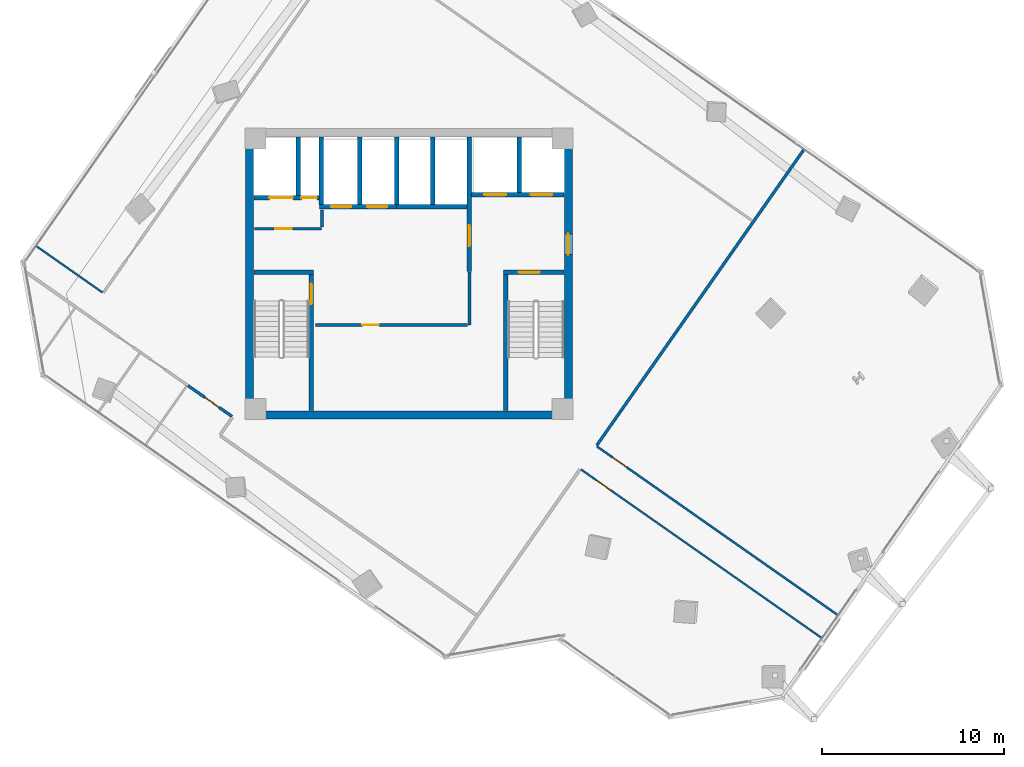
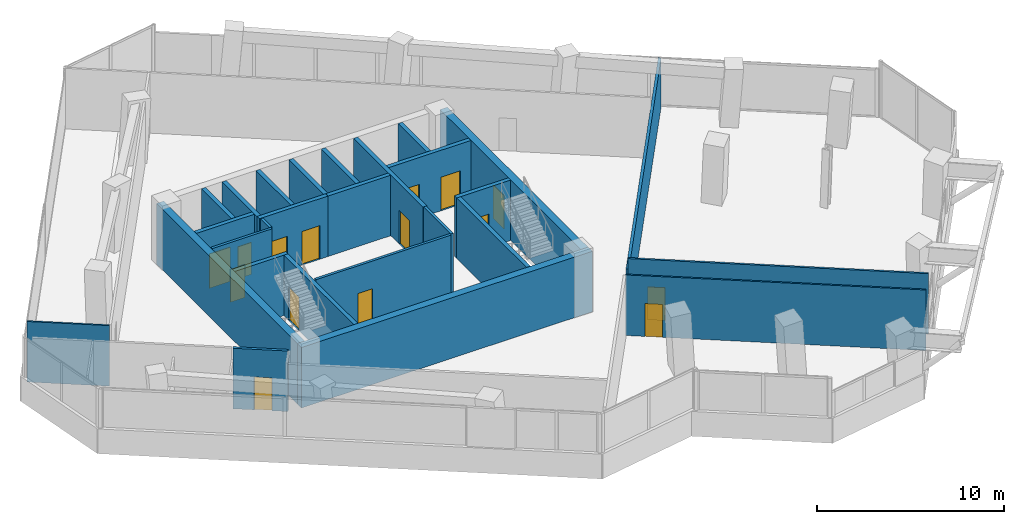
# One storey, part 17 of 21: 27 walls, 15 doors, 15 openings.
"""IFC4 building model written with IfcOpenShell, lengths in metres."""

import ifcopenshell
import ifcopenshell.guid

model = None  # the IFC model being written
_history = None  # IfcOwnerHistory: only IFC2X3 demands one
_inside = {}  # id of a spatial element -> (the spatial element, [elements in it])
_under = {}  # id of a project, library or spatial element -> (it, [spatial elements below it])
_declared = {}  # id of a project -> (the project, [libraries it declares])
_typed = {}  # id of a type object -> (the type object, [elements of that type])
_made_of = {}  # id of a material, layer set ... -> (it, [elements and type objects made of it])


def new_model(schema):
    """Start an empty IFC model of exactly this schema.

    Asked for "IFC4X3", IfcOpenShell would pick the latest addendum, in which some entities
    have other attributes; the version numbers below select the first issue.
    IFC2X3 requires an IfcOwnerHistory on every rooted entity: one is made here for all.
    """
    global model, _history
    if schema == "IFC4X3":
        model = ifcopenshell.file(schema_version=(4, 3, 0, 0))
    else:
        model = ifcopenshell.file(schema=schema)
    _inside.clear()
    _under.clear()
    _declared.clear()
    _typed.clear()
    _made_of.clear()
    _history = None
    if model.schema == "IFC2X3":
        org = make("IfcOrganization", Name="unknown")
        user = make(
            "IfcPersonAndOrganization",
            ThePerson=make("IfcPerson", FamilyName="unknown"),
            TheOrganization=org,
        )
        app = make(
            "IfcApplication",
            ApplicationDeveloper=org,
            Version="unknown",
            ApplicationFullName="unknown",
            ApplicationIdentifier="unknown",
        )
        _history = make(
            "IfcOwnerHistory",
            OwningUser=user,
            OwningApplication=app,
            ChangeAction="ADDED",
            CreationDate=0,
        )
    return model


def make(cls, **values):
    """One entity of the class cls with the attributes given. An attribute that is None is left unset."""
    return model.create_entity(
        cls, **{name: value for name, value in values.items() if value is not None}
    )


def rooted(cls, **values):
    """An entity with a GlobalId (a new one), such as an element, a storey or a relation."""
    return make(cls, GlobalId=ifcopenshell.guid.new(), OwnerHistory=_history, **values)


def si_unit(unit_type, name, prefix=None):
    """IfcSIUnit, for example si_unit("LENGTHUNIT", "METRE", prefix="MILLI")."""
    return make("IfcSIUnit", UnitType=unit_type, Prefix=prefix, Name=name)


def assignment(units):
    """IfcUnitAssignment: the units of a project."""
    return None if units is None else make("IfcUnitAssignment", Units=units)


def point(xyz):
    """IfcCartesianPoint."""
    return None if xyz is None else make("IfcCartesianPoint", Coordinates=xyz)


def direction(xyz):
    """IfcDirection."""
    return None if xyz is None else make("IfcDirection", DirectionRatios=xyz)


def frame(location, z_axis=None, x_axis=None):
    """IfcAxis2Placement3D, a coordinate frame: its origin and axes. An axis left out is left unset."""
    return make(
        "IfcAxis2Placement3D",
        Location=point(location),
        Axis=direction(z_axis),
        RefDirection=direction(x_axis),
    )


def frame_2d(location, x_axis=None):
    """IfcAxis2Placement2D, a coordinate frame in the plane: its origin and x axis."""
    return make(
        "IfcAxis2Placement2D", Location=point(location), RefDirection=direction(x_axis)
    )


def origin():
    """The frame at (0, 0, 0) with its axes left unset."""
    return frame((0.0, 0.0, 0.0))


def place(relative_to, where):
    """IfcLocalPlacement: puts the frame where relative to a parent placement (None: the world)."""
    return make(
        "IfcLocalPlacement", PlacementRelTo=relative_to, RelativePlacement=where
    )


def context(
    kind, dimensions, precision=None, world=None, true_north=None, identifier=None
):
    """IfcGeometricRepresentationContext, for example the 3D "Model" context."""
    return make(
        "IfcGeometricRepresentationContext",
        ContextIdentifier=identifier,
        ContextType=kind,
        CoordinateSpaceDimension=dimensions,
        Precision=precision,
        WorldCoordinateSystem=world,
        TrueNorth=true_north,
    )


def subcontext(parent, identifier, kind, view, scale=None):
    """IfcGeometricRepresentationSubContext, for example "Body" below "Model"."""
    return make(
        "IfcGeometricRepresentationSubContext",
        ContextIdentifier=identifier,
        ContextType=kind,
        ParentContext=parent,
        TargetScale=scale,
        TargetView=view,
    )


def project(units=None, contexts=None):
    """IfcProject with its units and contexts."""
    return rooted(
        "IfcProject",
        Name="project",
        RepresentationContexts=contexts,
        UnitsInContext=assignment(units),
    )


def spatial(cls, under=None, at=None, **own):
    """A site, building, storey or space (cls), placed at a placement, below another one or the project."""
    s = rooted(cls, ObjectPlacement=at, **own)
    if under is not None:
        _under.setdefault(under.id(), (under, []))[1].append(s)
    return s


def profile(cls, at=None, kind="AREA", **sizes):
    """A parametric profile (cls). Its sizes go by their IFC names, for example OverallWidth=200.0."""
    return make(cls, ProfileType=kind, Position=at, **sizes)


def rectangle(**sizes):
    """IfcRectangleProfileDef."""
    return profile("IfcRectangleProfileDef", **sizes)


def extrude(swept, where, along, depth):
    """IfcExtrudedAreaSolid: the profile swept, set in the frame where, extruded along a direction by depth."""
    return make(
        "IfcExtrudedAreaSolid",
        SweptArea=swept,
        Position=where,
        ExtrudedDirection=direction(along),
        Depth=depth,
    )


def shape(context_of_items, identifier, shape_type, items):
    """IfcShapeRepresentation: the items that make up one representation, for example the "Body"."""
    return make(
        "IfcShapeRepresentation",
        ContextOfItems=context_of_items,
        RepresentationIdentifier=identifier,
        RepresentationType=shape_type,
        Items=items,
    )


def source(mapping_origin, context_of_items, identifier, shape_type, items):
    """IfcRepresentationMap: a shape defined once, which mapped items show again and again."""
    return make(
        "IfcRepresentationMap",
        MappingOrigin=mapping_origin,
        MappedRepresentation=shape(context_of_items, identifier, shape_type, items),
    )


def transform(
    local_origin,
    x_axis=None,
    y_axis=None,
    z_axis=None,
    scale=None,
    scale2=None,
    scale3=None,
    uniform=True,
):
    """IfcCartesianTransformationOperator3D, or its non-uniform kind. x_axis, y_axis, z_axis: its Axis1, 2, 3."""
    if uniform:
        return make(
            "IfcCartesianTransformationOperator3D",
            Axis1=direction(x_axis),
            Axis2=direction(y_axis),
            LocalOrigin=point(local_origin),
            Scale=scale,
            Axis3=direction(z_axis),
        )
    return make(
        "IfcCartesianTransformationOperator3DnonUniform",
        Axis1=direction(x_axis),
        Axis2=direction(y_axis),
        LocalOrigin=point(local_origin),
        Scale=scale,
        Axis3=direction(z_axis),
        Scale2=scale2,
        Scale3=scale3,
    )


def mapped(mapping_source, mapping_target):
    """IfcMappedItem: shows the shape of a source again, moved by a transform."""
    return make(
        "IfcMappedItem", MappingSource=mapping_source, MappingTarget=mapping_target
    )


def material(Name=None, Category=None):
    """IfcMaterial."""
    return make("IfcMaterial", Name=Name, Category=Category)


def layer(
    of_material, thickness, ventilated=None, Name=None, Category=None, Priority=None
):
    """IfcMaterialLayer: one layer of a wall or slab, of a material (None: an air gap)."""
    return make(
        "IfcMaterialLayer",
        Material=of_material,
        LayerThickness=thickness,
        IsVentilated=ventilated,
        Name=Name,
        Category=Category,
        Priority=Priority,
    )


def layer_set(layers, Name=None):
    """IfcMaterialLayerSet."""
    return make("IfcMaterialLayerSet", MaterialLayers=layers, LayerSetName=Name)


def made_of(thing, what):
    """Note that an element or type object is made of a material, layer set ...; save() writes the relation."""
    if what is not None:
        _made_of.setdefault(what.id(), (what, []))[1].append(thing)
    return thing


def type_object(cls, material=None, **own):
    """A type object (cls), such as IfcWallType, which elements share."""
    return made_of(rooted(cls, **own), material)


def element(
    cls,
    number,
    at=None,
    inside=None,
    cuts=None,
    type_object=None,
    material=None,
    context=None,
    identifier="Body",
    shape_type=None,
    held_by="IfcProductDefinitionShape",
    body=None,
    shapes=None,
    **own,
):
    """One element of the class cls, such as IfcWall. Its Tag is "e" and its number.

    at: its placement. inside: the storey or other place that contains it. cuts: it is an
    opening in that element (IfcRelVoidsElement). A single representation is given by context,
    identifier, shape_type and body (its items); several are given by shapes. held_by: the class
    of the entity that holds the representations. save() writes the other relations.
    """
    e = rooted(cls, Tag="e%d" % number, ObjectPlacement=at, **own)
    if body is not None:
        shapes = [shape(context, identifier, shape_type, body)]
    if shapes is not None:
        e.Representation = make(held_by, Representations=shapes)
    if inside is not None:
        _inside.setdefault(inside.id(), (inside, []))[1].append(e)
    if cuts is not None:
        rooted(
            "IfcRelVoidsElement", RelatingBuildingElement=cuts, RelatedOpeningElement=e
        )
    if type_object is not None:
        _typed.setdefault(type_object.id(), (type_object, []))[1].append(e)
    return made_of(e, material)


def fill(opening, filler):
    """IfcRelFillsElement: the door or window that sits in an opening."""
    return rooted(
        "IfcRelFillsElement",
        RelatingOpeningElement=opening,
        RelatedBuildingElement=filler,
    )


def aggregate(whole, parts):
    """IfcRelAggregates: a whole, such as a stair, and the parts it consists of."""
    return rooted("IfcRelAggregates", RelatingObject=whole, RelatedObjects=parts)


def save(model, path):
    """Write the relations noted so far, then the file.

    IfcRelAggregates (storeys below a building ...), IfcRelContainedInSpatialStructure (elements
    in a storey), IfcRelDefinesByType, IfcRelAssociatesMaterial and IfcRelDeclares: one each for
    every whole, place, type object, material and project.
    """
    for whole, parts in _under.values():
        aggregate(whole, parts)
    for where, things in _inside.values():
        rooted(
            "IfcRelContainedInSpatialStructure",
            RelatedElements=things,
            RelatingStructure=where,
        )
    for kind, things in _typed.values():
        rooted("IfcRelDefinesByType", RelatedObjects=things, RelatingType=kind)
    for what, things in _made_of.values():
        rooted("IfcRelAssociatesMaterial", RelatedObjects=things, RelatingMaterial=what)
    for by, libraries in _declared.values():
        rooted("IfcRelDeclares", RelatingContext=by, RelatedDefinitions=libraries)
    model.write(path)


model = new_model("IFC4")

# Units and contexts
model_context = context("Model", 3, precision=1e-05, world=origin(), true_north=direction((0.0, 1.0)))
body_context = subcontext(model_context, "Body", "Model", "MODEL_VIEW")
ifc_project = project(units=[si_unit("LENGTHUNIT", "METRE"), si_unit("AREAUNIT", "SQUARE_METRE"), si_unit("VOLUMEUNIT", "CUBIC_METRE"), si_unit("PLANEANGLEUNIT", "RADIAN"), si_unit("MASSUNIT", "GRAM", prefix="KILO")], contexts=[model_context])

# Site, building, storey
site_placement = place(None, origin())
site = spatial("IfcSite", under=ifc_project, at=site_placement, CompositionType="ELEMENT")
building_placement = place(site_placement, origin())
building = spatial("IfcBuilding", under=site, at=building_placement, Name="Torre Montelarca", CompositionType="ELEMENT")
storey_placement = place(building_placement, frame((0.0, 0.0, 200.199951171875)))
storey = spatial("IfcBuildingStorey", under=building, at=storey_placement, Name="L45", CompositionType="ELEMENT", Elevation=200.199951171875)

# Wall, opening, door
ifc_material_1 = material(Name="Concrete C40/50", Category="concrete")
ifc_layer_1 = layer(ifc_material_1, 0.25, Name="Concrete C40/50", Category="concrete")
ifc_layer_set_1 = layer_set([ifc_layer_1], Name="Concrete C40/50")
wall_type_1 = type_object("IfcWallType", Name="CW-SHAFT-250", PredefinedType="SHEAR", material=ifc_layer_set_1)
wall_1_placement = place(storey_placement, frame((12.625, 24.4599609375, 0.0), z_axis=(0.0, 0.0, 1.0), x_axis=(0.0, 1.0, 0.0)))
wall_1 = element("IfcWall", 1, at=wall_1_placement, inside=storey, type_object=wall_type_1, Name="L45 Core Shear Wall SH-ST1-E", PredefinedType="SHEAR", context=body_context, shape_type="SweptSolid", body=[
    extrude(rectangle(XDim=7.489990234375, YDim=0.25, at=frame_2d((3.7451171875, 0.0))), origin(), (0.0, 0.0, 1.0), 3.9599609375),
])
opening_1_placement = place(wall_1_placement, frame((5.85009765625, 0.0, 0.0)))
opening_1 = element("IfcOpeningElement", 2, at=opening_1_placement, cuts=wall_1, Name="Opening FD-ST1", PredefinedType="OPENING", context=body_context, shape_type="SweptSolid", body=[
    extrude(rectangle(XDim=1.14990234375, YDim=2.199951171875, at=frame_2d((0.574951171875, 1.10009765625))), frame((0.0, 0.135009765625, 0.0), z_axis=(0.0, -1.0, 0.0), x_axis=(1.0, 0.0, 0.0)), (0.0, 0.0, 1.0), 0.27001953125),
])
ifc_material_2 = material(Name="Galvanized steel fire door", Category="steel")
door_type_1 = type_object("IfcDoorType", Name="DR-STAIR-115", OperationType="NOTDEFINED", PredefinedType="DOOR", material=ifc_material_2)
shared_shape_1 = source(origin(), body_context, "Body", "SweptSolid", [
    extrude(rectangle(XDim=1.14990234375, YDim=2.199951171875, at=frame_2d((0.574951171875, 1.10009765625))), frame((0.0, 0.02490234375, 0.0), z_axis=(0.0, -1.0, 0.0), x_axis=(1.0, 0.0, 0.0)), (0.0, 0.0, 1.0), 0.050048828125),
])
door_1_placement = place(opening_1_placement, origin())
door_1 = element("IfcDoor", 3, at=door_1_placement, inside=storey, type_object=door_type_1, Name="L45 Exit Stair ST1 Fire Door", OperationType="SINGLE_SWING_RIGHT", OverallHeight=2.199951171875, OverallWidth=1.14990234375, PredefinedType="DOOR", context=body_context, shape_type="MappedRepresentation", body=[
    mapped(shared_shape_1, transform((0.0, 0.0, 0.0), scale=1.0)),
])
fill(opening_1, door_1)

# Walls
wall_2_placement = place(storey_placement, frame((9.4599609375, 32.074951171875, 0.0), z_axis=(0.0, 0.0, 1.0), x_axis=(1.0, 0.0, 0.0)))
element("IfcWall", 4, at=wall_2_placement, inside=storey, type_object=wall_type_1, Name="L45 Core Shear Wall SH-ST1-N", PredefinedType="SHEAR", context=body_context, shape_type="SweptSolid", body=[
    extrude(rectangle(XDim=3.2900390625, YDim=0.25, at=frame_2d((1.64501953125, 0.0))), origin(), (0.0, 0.0, 1.0), 3.9599609375),
])
wall_3_placement = place(storey_placement, frame((23.31494140625, 24.4599609375, 0.0), z_axis=(0.0, 0.0, 1.0), x_axis=(0.0, 1.0, 0.0)))
element("IfcWall", 5, at=wall_3_placement, inside=storey, type_object=wall_type_1, Name="L45 Core Shear Wall SH-ST2-W", PredefinedType="SHEAR", context=body_context, shape_type="SweptSolid", body=[
    extrude(rectangle(XDim=7.489990234375, YDim=0.25, at=frame_2d((3.7451171875, 0.0))), origin(), (0.0, 0.0, 1.0), 3.9599609375),
])

# Wall, opening, door
wall_4_placement = place(storey_placement, frame((23.18994140625, 32.074951171875, 0.0), z_axis=(0.0, 0.0, 1.0), x_axis=(1.0, 0.0, 0.0)))
wall_4 = element("IfcWall", 6, at=wall_4_placement, inside=storey, type_object=wall_type_1, Name="L45 Core Shear Wall SH-ST2-N", PredefinedType="SHEAR", context=body_context, shape_type="SweptSolid", body=[
    extrude(rectangle(XDim=3.35009765625, YDim=0.25, at=frame_2d((1.675048828125, 0.0))), origin(), (0.0, 0.0, 1.0), 3.9599609375),
])
opening_2_placement = place(wall_4_placement, frame((0.85009765625, 0.0, 0.0)))
opening_2 = element("IfcOpeningElement", 7, at=opening_2_placement, cuts=wall_4, Name="Opening FD-ST1", PredefinedType="OPENING", context=body_context, shape_type="SweptSolid", body=[
    extrude(rectangle(XDim=1.14990234375, YDim=2.199951171875, at=frame_2d((0.574951171875, 1.10009765625))), frame((0.0, 0.135009765625, 0.0), z_axis=(0.0, -1.0, 0.0), x_axis=(1.0, 0.0, 0.0)), (0.0, 0.0, 1.0), 0.27001953125),
])
door_2_placement = place(opening_2_placement, origin())
door_2 = element("IfcDoor", 8, at=door_2_placement, inside=storey, type_object=door_type_1, Name="L45 Exit Stair ST2 Fire Door", OperationType="SINGLE_SWING_RIGHT", OverallHeight=2.199951171875, OverallWidth=1.14990234375, PredefinedType="DOOR", context=body_context, shape_type="MappedRepresentation", body=[
    mapped(shared_shape_1, transform((0.0, 0.0, 0.0), scale=1.0)),
])
fill(opening_2, door_2)

wall_5_placement = place(storey_placement, frame((21.320068359375, 32.1201171875, 0.0), z_axis=(0.0, 0.0, 1.0), x_axis=(0.0, 1.0, 0.0)))
wall_5 = element("IfcWall", 9, at=wall_5_placement, inside=storey, type_object=wall_type_1, Name="L45 Core Shear Wall SH-FFL-W", PredefinedType="SHEAR", context=body_context, shape_type="SweptSolid", body=[
    extrude(rectangle(XDim=7.419921875, YDim=0.25, at=frame_2d((3.7099609375, 0.0))), origin(), (0.0, 0.0, 1.0), 3.9599609375),
])
opening_3_placement = place(wall_5_placement, frame((1.39990234375, 0.0, 0.0)))
opening_3 = element("IfcOpeningElement", 10, at=opening_3_placement, cuts=wall_5, Name="Opening FD-LB1", PredefinedType="OPENING", context=body_context, shape_type="SweptSolid", body=[
    extrude(rectangle(XDim=1.14990234375, YDim=2.199951171875, at=frame_2d((0.574951171875, 1.10009765625))), frame((0.0, 0.135009765625, 0.0), z_axis=(0.0, -1.0, 0.0), x_axis=(1.0, 0.0, 0.0)), (0.0, 0.0, 1.0), 0.27001953125),
])
ifc_material_3 = material(Name="Acoustic timber-veneered fire door", Category="wood")
door_type_2 = type_object("IfcDoorType", Name="DR-LOBBY-115", OperationType="NOTDEFINED", PredefinedType="DOOR", material=ifc_material_3)
shared_shape_2 = source(origin(), body_context, "Body", "SweptSolid", [
    extrude(rectangle(XDim=1.14990234375, YDim=2.199951171875, at=frame_2d((0.574951171875, 1.10009765625))), frame((0.0, 0.02490234375, 0.0), z_axis=(0.0, -1.0, 0.0), x_axis=(1.0, 0.0, 0.0)), (0.0, 0.0, 1.0), 0.050048828125),
])
door_3_placement = place(opening_3_placement, origin())
door_3 = element("IfcDoor", 11, at=door_3_placement, inside=storey, type_object=door_type_2, Name="L45 Lift Lobby to Firefighting Lobby Smoke Door", OperationType="SINGLE_SWING_LEFT", OverallHeight=2.199951171875, OverallWidth=1.14990234375, PredefinedType="DOOR", context=body_context, shape_type="MappedRepresentation", body=[
    mapped(shared_shape_2, transform((0.0, 0.0, 0.0), scale=1.0)),
])
fill(opening_3, door_3)

# Wall, openings, doors
wall_6_placement = place(storey_placement, frame((9.4599609375, 36.179931640625, 0.0), z_axis=(0.0, 0.0, 1.0), x_axis=(1.0, 0.0, 0.0)))
wall_6 = element("IfcWall", 12, at=wall_6_placement, inside=storey, type_object=wall_type_1, Name="L45 Core Shear Wall SH-SV1-S", PredefinedType="SHEAR", context=body_context, shape_type="SweptSolid", body=[
    extrude(rectangle(XDim=3.7900390625, YDim=0.25, at=frame_2d((1.89501953125, 0.0))), origin(), (0.0, 0.0, 1.0), 3.9599609375),
])
opening_4_placement = place(wall_6_placement, frame((2.6201171875, 0.0, 0.0)))
opening_4 = element("IfcOpeningElement", 13, at=opening_4_placement, cuts=wall_6, Name="Opening FD-085", PredefinedType="OPENING", context=body_context, shape_type="SweptSolid", body=[
    extrude(rectangle(XDim=0.85009765625, YDim=2.10009765625, at=frame_2d((0.425048828125, 1.050048828125))), frame((0.0, 0.135009765625, 0.0), z_axis=(0.0, -1.0, 0.0), x_axis=(1.0, 0.0, 0.0)), (0.0, 0.0, 1.0), 0.27001953125),
])
opening_5_placement = place(wall_6_placement, frame((0.85009765625, 0.0, 0.0)))
opening_5 = element("IfcOpeningElement", 14, at=opening_5_placement, cuts=wall_6, Name="Opening LD-130", PredefinedType="OPENING", context=body_context, shape_type="SweptSolid", body=[
    extrude(rectangle(XDim=1.300048828125, YDim=2.25, at=frame_2d((0.64990234375, 1.125))), frame((0.0, 0.135009765625, 0.0), z_axis=(0.0, -1.0, 0.0), x_axis=(1.0, 0.0, 0.0)), (0.0, 0.0, 1.0), 0.27001953125),
])
ifc_material_4 = material(Name="Steel riser access fire door", Category="steel")
door_type_3 = type_object("IfcDoorType", Name="DR-RISER-085", OperationType="NOTDEFINED", PredefinedType="DOOR", material=ifc_material_4)
shared_shape_3 = source(origin(), body_context, "Body", "SweptSolid", [
    extrude(rectangle(XDim=0.85009765625, YDim=2.10009765625, at=frame_2d((0.425048828125, 1.050048828125))), frame((0.0, 0.02490234375, 0.0), z_axis=(0.0, -1.0, 0.0), x_axis=(1.0, 0.0, 0.0)), (0.0, 0.0, 1.0), 0.050048828125),
])
door_4_placement = place(opening_4_placement, origin())
door_4 = element("IfcDoor", 15, at=door_4_placement, inside=storey, type_object=door_type_3, Name="L45 Electrical Riser Shaft Access Door", OperationType="SINGLE_SWING_RIGHT", OverallHeight=2.10009765625, OverallWidth=0.85009765625, PredefinedType="DOOR", context=body_context, shape_type="MappedRepresentation", body=[
    mapped(shared_shape_3, transform((0.0, 0.0, 0.0), scale=1.0)),
])
fill(opening_4, door_4)
ifc_material_5 = material(Name="Brushed stainless steel AISI 316", Category="steel")
door_type_4 = type_object("IfcDoorType", Name="DR-LIFT-130", OperationType="SLIDING_TO_LEFT", PredefinedType="DOOR", material=ifc_material_5)
shared_shape_4 = source(origin(), body_context, "Body", "SweptSolid", [
    extrude(rectangle(XDim=1.300048828125, YDim=2.25, at=frame_2d((0.64990234375, 1.125))), frame((0.0, 0.02490234375, 0.0), z_axis=(0.0, -1.0, 0.0), x_axis=(1.0, 0.0, 0.0)), (0.0, 0.0, 1.0), 0.050048828125),
])
door_5_placement = place(opening_5_placement, origin())
door_5 = element("IfcDoor", 16, at=door_5_placement, inside=storey, type_object=door_type_4, Name="L45 Lift Landing Sliding Door SV-1", OperationType="SLIDING_TO_LEFT", OverallHeight=2.25, OverallWidth=1.300048828125, PredefinedType="DOOR", context=body_context, shape_type="MappedRepresentation", body=[
    mapped(shared_shape_4, transform((0.0, 0.0, 0.0), scale=1.0)),
])
fill(opening_5, door_5)

# Wall
wall_7_placement = place(storey_placement, frame((11.89990234375, 36.31005859375, 0.0), z_axis=(0.0, 0.0, 1.0), x_axis=(0.0, 1.0, 0.0)))
element("IfcWall", 17, at=wall_7_placement, inside=storey, type_object=wall_type_1, Name="L45 Core Shear Wall SH-SV1-E", PredefinedType="SHEAR", context=body_context, shape_type="SweptSolid", body=[
    extrude(rectangle(XDim=3.22998046875, YDim=0.25, at=frame_2d((1.614990234375, 0.0))), origin(), (0.0, 0.0, 1.0), 3.9599609375),
])

# Wall, openings, doors
wall_8_placement = place(storey_placement, frame((21.449951171875, 36.35009765625, 0.0), z_axis=(0.0, 0.0, 1.0), x_axis=(1.0, 0.0, 0.0)))
wall_8 = element("IfcWall", 18, at=wall_8_placement, inside=storey, type_object=wall_type_1, Name="L45 Core Shear Wall SH-FF-S", PredefinedType="SHEAR", context=body_context, shape_type="SweptSolid", body=[
    extrude(rectangle(XDim=5.090087890625, YDim=0.25, at=frame_2d((2.544921875, 0.0))), origin(), (0.0, 0.0, 1.0), 3.9599609375),
])
opening_6_placement = place(wall_8_placement, frame((0.699951171875, 0.0, 0.0)))
opening_6 = element("IfcOpeningElement", 19, at=opening_6_placement, cuts=wall_8, Name="Opening LD-120", PredefinedType="OPENING", context=body_context, shape_type="SweptSolid", body=[
    extrude(rectangle(XDim=1.199951171875, YDim=2.199951171875, at=frame_2d((0.60009765625, 1.10009765625))), frame((0.0, 0.135009765625, 0.0), z_axis=(0.0, -1.0, 0.0), x_axis=(1.0, 0.0, 0.0)), (0.0, 0.0, 1.0), 0.27001953125),
])
opening_7_placement = place(wall_8_placement, frame((3.25, 0.0, 0.0)))
opening_7 = element("IfcOpeningElement", 20, at=opening_7_placement, cuts=wall_8, Name="Opening LD-120", PredefinedType="OPENING", context=body_context, shape_type="SweptSolid", body=[
    extrude(rectangle(XDim=1.199951171875, YDim=2.199951171875, at=frame_2d((0.60009765625, 1.10009765625))), frame((0.0, 0.135009765625, 0.0), z_axis=(0.0, -1.0, 0.0), x_axis=(1.0, 0.0, 0.0)), (0.0, 0.0, 1.0), 0.27001953125),
])
door_type_5 = type_object("IfcDoorType", Name="DR-LIFT-120", OperationType="SLIDING_TO_RIGHT", PredefinedType="DOOR", material=ifc_material_5)
shared_shape_5 = source(origin(), body_context, "Body", "SweptSolid", [
    extrude(rectangle(XDim=1.199951171875, YDim=2.199951171875, at=frame_2d((0.60009765625, 1.10009765625))), frame((0.0, 0.02490234375, 0.0), z_axis=(0.0, -1.0, 0.0), x_axis=(1.0, 0.0, 0.0)), (0.0, 0.0, 1.0), 0.050048828125),
])
door_6_placement = place(opening_6_placement, origin())
door_6 = element("IfcDoor", 21, at=door_6_placement, inside=storey, type_object=door_type_5, Name="L45 Lift Landing Sliding Door FF-1", OperationType="SLIDING_TO_LEFT", OverallHeight=2.199951171875, OverallWidth=1.199951171875, PredefinedType="DOOR", context=body_context, shape_type="MappedRepresentation", body=[
    mapped(shared_shape_5, transform((0.0, 0.0, 0.0), scale=1.0)),
])
fill(opening_6, door_6)
door_7_placement = place(opening_7_placement, origin())
door_7 = element("IfcDoor", 22, at=door_7_placement, inside=storey, type_object=door_type_5, Name="L45 Lift Landing Sliding Door FF-2", OperationType="SLIDING_TO_RIGHT", OverallHeight=2.199951171875, OverallWidth=1.199951171875, PredefinedType="DOOR", context=body_context, shape_type="MappedRepresentation", body=[
    mapped(shared_shape_5, transform((0.0, 0.0, 0.0), scale=1.0)),
])
fill(opening_7, door_7)

# Wall
wall_9_placement = place(storey_placement, frame((24.080078125, 36.47998046875, 0.0), z_axis=(0.0, 0.0, 1.0), x_axis=(0.0, 1.0, 0.0)))
element("IfcWall", 23, at=wall_9_placement, inside=storey, type_object=wall_type_1, Name="L45 Core Shear Wall SH-FF-M", PredefinedType="SHEAR", context=body_context, shape_type="SweptSolid", body=[
    extrude(rectangle(XDim=3.06005859375, YDim=0.25, at=frame_2d((1.530029296875, 0.0))), origin(), (0.0, 0.0, 1.0), 3.9599609375),
])

# Wall, openings, doors
wall_10_placement = place(storey_placement, frame((13.06005859375, 35.679931640625, 0.0), z_axis=(0.0, 0.0, 1.0), x_axis=(1.0, 0.0, 0.0)))
wall_10 = element("IfcWall", 24, at=wall_10_placement, inside=storey, type_object=wall_type_1, Name="L45 Core Shear Wall SH-PLM-S", PredefinedType="SHEAR", context=body_context, shape_type="SweptSolid", body=[
    extrude(rectangle(XDim=4.25, YDim=0.25, at=frame_2d((2.125, 0.0))), origin(), (0.0, 0.0, 1.0), 3.9599609375),
])
opening_8_placement = place(wall_10_placement, frame((0.64990234375, 0.0, 0.0)))
opening_8 = element("IfcOpeningElement", 25, at=opening_8_placement, cuts=wall_10, Name="Opening LD-110", PredefinedType="OPENING", context=body_context, shape_type="SweptSolid", body=[
    extrude(rectangle(XDim=1.10009765625, YDim=2.199951171875, at=frame_2d((0.550048828125, 1.10009765625))), frame((0.0, 0.135009765625, 0.0), z_axis=(0.0, -1.0, 0.0), x_axis=(1.0, 0.0, 0.0)), (0.0, 0.0, 1.0), 0.27001953125),
])
opening_9_placement = place(wall_10_placement, frame((2.64990234375, 0.0, 0.0)))
opening_9 = element("IfcOpeningElement", 26, at=opening_9_placement, cuts=wall_10, Name="Opening LD-110", PredefinedType="OPENING", context=body_context, shape_type="SweptSolid", body=[
    extrude(rectangle(XDim=1.10009765625, YDim=2.199951171875, at=frame_2d((0.550048828125, 1.10009765625))), frame((0.0, 0.135009765625, 0.0), z_axis=(0.0, -1.0, 0.0), x_axis=(1.0, 0.0, 0.0)), (0.0, 0.0, 1.0), 0.27001953125),
])
door_type_6 = type_object("IfcDoorType", Name="DR-LIFT-110", OperationType="SLIDING_TO_LEFT", PredefinedType="DOOR", material=ifc_material_5)
shared_shape_6 = source(origin(), body_context, "Body", "SweptSolid", [
    extrude(rectangle(XDim=1.10009765625, YDim=2.199951171875, at=frame_2d((0.550048828125, 1.10009765625))), frame((0.0, 0.02490234375, 0.0), z_axis=(0.0, -1.0, 0.0), x_axis=(1.0, 0.0, 0.0)), (0.0, 0.0, 1.0), 0.050048828125),
])
door_8_placement = place(opening_8_placement, origin())
door_8 = element("IfcDoor", 27, at=door_8_placement, inside=storey, type_object=door_type_6, Name="L45 Lift Landing Sliding Door PL-M1", OperationType="SLIDING_TO_LEFT", OverallHeight=2.199951171875, OverallWidth=1.10009765625, PredefinedType="DOOR", context=body_context, shape_type="MappedRepresentation", body=[
    mapped(shared_shape_6, transform((0.0, 0.0, 0.0), scale=1.0)),
])
fill(opening_8, door_8)
door_9_placement = place(opening_9_placement, origin())
door_9 = element("IfcDoor", 28, at=door_9_placement, inside=storey, type_object=door_type_6, Name="L45 Lift Landing Sliding Door PL-M2", OperationType="SLIDING_TO_RIGHT", OverallHeight=2.199951171875, OverallWidth=1.10009765625, PredefinedType="DOOR", context=body_context, shape_type="MappedRepresentation", body=[
    mapped(shared_shape_6, transform((0.0, 0.0, 0.0), scale=1.0)),
])
fill(opening_9, door_9)

# Walls
for number, where, z_axis, x_axis, name in (
    (29, (13.179931640625, 35.81005859375, 0.0), (0.0, 0.0, 1.0), (0.0, 1.0, 0.0), "L45 Core Shear Wall SH-PLM-W"),
    (30, (15.280029296875, 35.81005859375, 0.0), (0.0, 0.0, 1.0), (0.0, 1.0, 0.0), "L45 Core Shear Wall SH-PLM-M"),
):
    element("IfcWall", number, at=place(storey_placement, frame(where, z_axis=z_axis, x_axis=x_axis)), inside=storey, type_object=wall_type_1, Name=name, PredefinedType="SHEAR", context=body_context, shape_type="SweptSolid", body=[
        extrude(rectangle(XDim=3.72998046875, YDim=0.25, at=frame_2d((1.864990234375, 0.0))), origin(), (0.0, 0.0, 1.0), 3.9599609375),
    ])
wall_11_placement = place(storey_placement, frame((17.320068359375, 35.679931640625, 0.0), z_axis=(0.0, 0.0, 1.0), x_axis=(1.0, 0.0, 0.0)))
element("IfcWall", 31, at=wall_11_placement, inside=storey, type_object=wall_type_1, Name="L45 Core Shear Wall SH-PLH-S", PredefinedType="SHEAR", context=body_context, shape_type="SweptSolid", body=[
    extrude(rectangle(XDim=3.869873046875, YDim=0.25, at=frame_2d((1.93505859375, 0.0))), origin(), (0.0, 0.0, 1.0), 3.9599609375),
])
for number, where, z_axis, x_axis, name in (
    (32, (17.320068359375, 35.81005859375, 0.0), (0.0, 0.0, 1.0), (0.0, 1.0, 0.0), "L45 Core Shear Wall SH-PLH-W"),
    (33, (19.320068359375, 35.81005859375, 0.0), (0.0, 0.0, 1.0), (0.0, 1.0, 0.0), "L45 Core Shear Wall SH-PLH-M"),
):
    element("IfcWall", number, at=place(storey_placement, frame(where, z_axis=z_axis, x_axis=x_axis)), inside=storey, type_object=wall_type_1, Name=name, PredefinedType="SHEAR", context=body_context, shape_type="SweptSolid", body=[
        extrude(rectangle(XDim=3.72998046875, YDim=0.25, at=frame_2d((1.864990234375, 0.0))), origin(), (0.0, 0.0, 1.0), 3.9599609375),
    ])
ifc_material_6 = material(Name="Concrete C55/67", Category="concrete")
ifc_layer_2 = layer(ifc_material_6, 0.449951171875, Name="Concrete C55/67", Category="concrete")
ifc_layer_set_2 = layer_set([ifc_layer_2], Name="Concrete C55/67")
wall_type_2 = type_object("IfcWallType", Name="CW-SHEAR-450", PredefinedType="SHEAR", material=ifc_layer_set_2)
wall_12_placement = place(storey_placement, frame((9.22509765625, 24.449951171875, 0.0), z_axis=(0.0, 0.0, 1.0), x_axis=(0.0, 1.0, 0.0)))
element("IfcWall", 34, at=wall_12_placement, inside=storey, type_object=wall_type_2, Name="L45 Core Shear Wall CW-W", PredefinedType="SHEAR", context=body_context, shape_type="SweptSolid", body=[
    extrude(rectangle(XDim=15.10009765625, YDim=0.449951171875, at=frame_2d((7.550048828125, 0.0))), origin(), (0.0, 0.0, 1.0), 3.9599609375),
])

# Wall, opening, door
wall_13_placement = place(storey_placement, frame((26.77490234375, 24.449951171875, 0.0), z_axis=(0.0, 0.0, 1.0), x_axis=(0.0, 1.0, 0.0)))
wall_13 = element("IfcWall", 35, at=wall_13_placement, inside=storey, type_object=wall_type_2, Name="L45 Core Shear Wall CW-E", PredefinedType="SHEAR", context=body_context, shape_type="SweptSolid", body=[
    extrude(rectangle(XDim=15.10009765625, YDim=0.449951171875, at=frame_2d((7.550048828125, 0.0))), origin(), (0.0, 0.0, 1.0), 3.9599609375),
])
opening_10_placement = place(wall_13_placement, frame((8.60009765625, 0.0, 0.0)))
opening_10 = element("IfcOpeningElement", 36, at=opening_10_placement, cuts=wall_13, Name="Opening FD-LB1", PredefinedType="OPENING", context=body_context, shape_type="SweptSolid", body=[
    extrude(rectangle(XDim=1.14990234375, YDim=2.199951171875, at=frame_2d((0.574951171875, 1.10009765625))), frame((0.0, 0.23486328125, 0.0), z_axis=(0.0, -1.0, 0.0), x_axis=(1.0, 0.0, 0.0)), (0.0, 0.0, 1.0), 0.469970703125),
])
door_10_placement = place(opening_10_placement, origin())
door_10 = element("IfcDoor", 37, at=door_10_placement, inside=storey, type_object=door_type_2, Name="L45 Firefighting Lift Lobby Corridor Fire Door", OperationType="SINGLE_SWING_RIGHT", OverallHeight=2.199951171875, OverallWidth=1.14990234375, PredefinedType="DOOR", context=body_context, shape_type="MappedRepresentation", body=[
    mapped(shared_shape_2, transform((0.0, 0.0, 0.0), scale=1.0)),
])
fill(opening_10, door_10)

# Wall
wall_14_placement = place(storey_placement, frame((9.0, 24.22509765625, 0.0), z_axis=(0.0, 0.0, 1.0), x_axis=(1.0, 0.0, 0.0)))
element("IfcWall", 38, at=wall_14_placement, inside=storey, type_object=wall_type_2, Name="L45 Core Shear Wall CW-S1", PredefinedType="SHEAR", context=body_context, shape_type="SweptSolid", body=[
    extrude(rectangle(XDim=18.0, YDim=0.449951171875, at=frame_2d((9.0, 0.0))), origin(), (0.0, 0.0, 1.0), 3.9599609375),
])

# Wall, opening, door
ifc_material_7 = material(Name="Gypsum plasterboard on steel stud", Category="steel")
ifc_layer_3 = layer(ifc_material_7, 0.159912109375, Name="Gypsum plasterboard on steel stud", Category="steel")
ifc_layer_set_3 = layer_set([ifc_layer_3], Name="Gypsum plasterboard on steel stud")
wall_type_3 = type_object("IfcWallType", Name="PW-FIRE-160", PredefinedType="PARTITIONING", material=ifc_layer_set_3)
wall_15_placement = place(storey_placement, frame((9.489990234375, 34.47998046875, 0.0), z_axis=(0.0, 0.0, 1.0), x_axis=(1.0, 0.0, 0.0)))
wall_15 = element("IfcWall", 39, at=wall_15_placement, inside=storey, type_object=wall_type_3, Name="L45 Interior Partition CW-L45-SVS", PredefinedType="PARTITIONING", context=body_context, shape_type="SweptSolid", body=[
    extrude(rectangle(XDim=3.699951171875, YDim=0.159912109375, at=frame_2d((1.85009765625, 0.0))), origin(), (0.0, 0.0, 1.0), 3.9599609375),
])
opening_11_placement = place(wall_15_placement, frame((1.14990234375, 0.0, 0.0)))
opening_11 = element("IfcOpeningElement", 40, at=opening_11_placement, cuts=wall_15, Name="Opening FD-090", PredefinedType="OPENING", context=body_context, shape_type="SweptSolid", body=[
    extrude(rectangle(XDim=0.89990234375, YDim=2.14990234375, at=frame_2d((0.449951171875, 1.074951171875))), frame((0.0, 0.08984375, 0.0), z_axis=(0.0, -1.0, 0.0), x_axis=(1.0, 0.0, 0.0)), (0.0, 0.0, 1.0), 0.179931640625),
])
ifc_material_8 = material(Name="Steel service fire door", Category="steel")
door_type_7 = type_object("IfcDoorType", Name="DR-FIRE-090", OperationType="NOTDEFINED", PredefinedType="DOOR", material=ifc_material_8)
shared_shape_7 = source(origin(), body_context, "Body", "SweptSolid", [
    extrude(rectangle(XDim=0.89990234375, YDim=2.14990234375, at=frame_2d((0.449951171875, 1.074951171875))), frame((0.0, 0.02490234375, 0.0), z_axis=(0.0, -1.0, 0.0), x_axis=(1.0, 0.0, 0.0)), (0.0, 0.0, 1.0), 0.050048828125),
])
door_11_placement = place(opening_11_placement, origin())
door_11 = element("IfcDoor", 41, at=door_11_placement, inside=storey, type_object=door_type_7, Name="L45 Interior Door 01", OperationType="SINGLE_SWING_RIGHT", OverallHeight=2.14990234375, OverallWidth=0.89990234375, PredefinedType="DOOR", context=body_context, shape_type="MappedRepresentation", body=[
    mapped(shared_shape_7, transform((0.0, 0.0, 0.0), scale=1.0)),
])
fill(opening_11, door_11)

# Wall
wall_16_placement = place(storey_placement, frame((13.199951171875, 34.570068359375, 0.0), z_axis=(0.0, 0.0, 1.0), x_axis=(0.0, 1.0, 0.0)))
element("IfcWall", 42, at=wall_16_placement, inside=storey, type_object=wall_type_3, Name="L45 Interior Partition CW-L45-SVE", PredefinedType="PARTITIONING", context=body_context, shape_type="SweptSolid", body=[
    extrude(rectangle(XDim=0.93994140625, YDim=0.159912109375, at=frame_2d((0.469970703125, 0.0))), origin(), (0.0, 0.0, 1.0), 3.9599609375),
])

# Wall, opening, door
wall_17_placement = place(storey_placement, frame((12.840087890625, 29.179931640625, 0.0), z_axis=(0.0, 0.0, 1.0), x_axis=(1.0, 0.0, 0.0)))
wall_17 = element("IfcWall", 43, at=wall_17_placement, inside=storey, type_object=wall_type_3, Name="L45 Interior Partition CW-L45-FRDN", PredefinedType="PARTITIONING", context=body_context, shape_type="SweptSolid", body=[
    extrude(rectangle(XDim=8.369873046875, YDim=0.159912109375, at=frame_2d((4.18505859375, 0.0))), origin(), (0.0, 0.0, 1.0), 3.9599609375),
])
opening_12_placement = place(wall_17_placement, frame((2.60009765625, 0.0, 0.0)))
opening_12 = element("IfcOpeningElement", 44, at=opening_12_placement, cuts=wall_17, Name="Opening FD-090", PredefinedType="OPENING", context=body_context, shape_type="SweptSolid", body=[
    extrude(rectangle(XDim=0.89990234375, YDim=2.14990234375, at=frame_2d((0.449951171875, 1.074951171875))), frame((0.0, 0.08984375, 0.0), z_axis=(0.0, -1.0, 0.0), x_axis=(1.0, 0.0, 0.0)), (0.0, 0.0, 1.0), 0.179931640625),
])
door_12_placement = place(opening_12_placement, origin())
door_12 = element("IfcDoor", 45, at=door_12_placement, inside=storey, type_object=door_type_7, Name="L45 Interior Door 02", OperationType="SINGLE_SWING_LEFT", OverallHeight=2.14990234375, OverallWidth=0.89990234375, PredefinedType="DOOR", context=body_context, shape_type="MappedRepresentation", body=[
    mapped(shared_shape_7, transform((0.0, 0.0, 0.0), scale=1.0)),
])
fill(opening_12, door_12)

# Wall
wall_18_placement = place(storey_placement, frame((21.320068359375, 29.18994140625, 0.0), z_axis=(0.0, 0.0, 1.0), x_axis=(0.0, 1.0, 0.0)))
element("IfcWall", 46, at=wall_18_placement, inside=storey, type_object=wall_type_3, Name="L45 Interior Partition CW-L45-FRE", PredefinedType="PARTITIONING", context=body_context, shape_type="SweptSolid", body=[
    extrude(rectangle(XDim=2.920166015625, YDim=0.159912109375, at=frame_2d((1.4599609375, 0.0))), origin(), (0.0, 0.0, 1.0), 3.9599609375),
])

# Wall, opening, door
wall_19_placement = place(storey_placement, frame((5.826416015625, 25.847412109375, 0.0), z_axis=(0.0, 0.0, 1.0), x_axis=(0.819135363828, -0.573600257781, 0.0)))
wall_19 = element("IfcWall", 47, at=wall_19_placement, inside=storey, type_object=wall_type_3, Name="L45 Interior Partition W-L45-SOCCN", PredefinedType="PARTITIONING", context=body_context, shape_type="SweptSolid", body=[
    extrude(rectangle(XDim=2.969970703125, YDim=0.159912109375, at=frame_2d((1.48486328125, 0.0))), origin(), (0.0, 0.0, 1.0), 3.9599609375),
])
opening_13_placement = place(wall_19_placement, frame((1.14990234375, 0.0, 0.0)))
opening_13 = element("IfcOpeningElement", 48, at=opening_13_placement, cuts=wall_19, Name="Opening FD-095", PredefinedType="OPENING", context=body_context, shape_type="SweptSolid", body=[
    extrude(rectangle(XDim=0.949951171875, YDim=2.14990234375, at=frame_2d((0.47509765625, 1.074951171875))), frame((0.0, 0.08984375, 0.0), z_axis=(0.0, -1.0, 0.0), x_axis=(1.0, 0.0, 0.0)), (0.0, 0.0, 1.0), 0.179931640625),
])
ifc_material_9 = material(Name="Timber fire-rated room door", Category="wood")
door_type_8 = type_object("IfcDoorType", Name="DR-FIRE-095", OperationType="NOTDEFINED", PredefinedType="DOOR", material=ifc_material_9)
shared_shape_8 = source(origin(), body_context, "Body", "SweptSolid", [
    extrude(rectangle(XDim=0.949951171875, YDim=2.14990234375, at=frame_2d((0.47509765625, 1.074951171875))), frame((0.0, 0.02490234375, 0.0), z_axis=(0.0, -1.0, 0.0), x_axis=(1.0, 0.0, 0.0)), (0.0, 0.0, 1.0), 0.050048828125),
])
door_13_placement = place(opening_13_placement, origin())
door_13 = element("IfcDoor", 49, at=door_13_placement, inside=storey, type_object=door_type_8, Name="L45 Interior Door 05", OperationType="SINGLE_SWING_RIGHT", OverallHeight=2.14990234375, OverallWidth=0.949951171875, PredefinedType="DOOR", context=body_context, shape_type="MappedRepresentation", body=[
    mapped(shared_shape_8, transform((0.0, 0.0, 0.0), scale=1.0)),
])
fill(opening_13, door_13)

# Walls
wall_20_placement = place(storey_placement, frame((28.3359375, 22.550048828125, 0.0), z_axis=(0.0, 0.0, 1.0), x_axis=(0.573581263398, 0.819148664333, 0.0)))
element("IfcWall", 50, at=wall_20_placement, inside=storey, type_object=wall_type_3, Name="L45 Interior Partition W-L45-ECN", PredefinedType="PARTITIONING", context=body_context, shape_type="SweptSolid", body=[
    extrude(rectangle(XDim=19.840087890625, YDim=0.159912109375, at=frame_2d((9.919921875, 0.0))), origin(), (0.0, 0.0, 1.0), 3.195068359375),
])
ifc_material_10 = material(Name="Acoustic laminated glass partition", Category="glass")
ifc_layer_4 = layer(ifc_material_10, 0.10009765625, Name="Acoustic laminated glass partition", Category="glass")
ifc_layer_set_4 = layer_set([ifc_layer_4], Name="Acoustic laminated glass partition")
wall_type_4 = type_object("IfcWallType", Name="PW-GLAZ-100", PredefinedType="PARTITIONING", material=ifc_layer_set_4)
wall_21_placement = place(storey_placement, frame((-2.495849609375, 33.505859375, 0.0), z_axis=(0.0, 0.0, 1.0), x_axis=(0.819130930641, -0.573606588584, 0.0)))
element("IfcWall", 51, at=wall_21_placement, inside=storey, type_object=wall_type_4, Name="L45 Interior Partition W-L45-WWGS", PredefinedType="PARTITIONING", context=body_context, shape_type="SweptSolid", body=[
    extrude(rectangle(XDim=4.429931640625, YDim=0.10009765625, at=frame_2d((2.21484375, 0.0))), origin(), (0.0, 0.0, 1.0), 3.9599609375),
])

# Wall, opening, door
wall_22_placement = place(storey_placement, frame((27.46240234375, 21.23291015625, 0.0), z_axis=(0.0, 0.0, 1.0), x_axis=(0.819151710168, -0.573576913525, 0.0)))
wall_22 = element("IfcWall", 52, at=wall_22_placement, inside=storey, type_object=wall_type_4, Name="L45 Interior Partition W-L45-SE-N", PredefinedType="PARTITIONING", context=body_context, shape_type="SweptSolid", body=[
    extrude(rectangle(XDim=16.16015625, YDim=0.10009765625, at=frame_2d((8.080078125, 0.0))), origin(), (0.0, 0.0, 1.0), 3.9599609375),
])
opening_14_placement = place(wall_22_placement, frame((1.050048828125, 0.0, 0.0)))
opening_14 = element("IfcOpeningElement", 53, at=opening_14_placement, cuts=wall_22, Name="Opening ID-095", PredefinedType="OPENING", context=body_context, shape_type="SweptSolid", body=[
    extrude(rectangle(XDim=0.949951171875, YDim=2.14990234375, at=frame_2d((0.47509765625, 1.074951171875))), frame((0.0, 0.06005859375, 0.0), z_axis=(0.0, -1.0, 0.0), x_axis=(1.0, 0.0, 0.0)), (0.0, 0.0, 1.0), 0.1201171875),
])
ifc_material_11 = material(Name="Hardwood acoustic timber veneer", Category="wood")
door_type_9 = type_object("IfcDoorType", Name="DR-INT-095", OperationType="NOTDEFINED", PredefinedType="DOOR", material=ifc_material_11)
shared_shape_9 = source(origin(), body_context, "Body", "SweptSolid", [
    extrude(rectangle(XDim=0.949951171875, YDim=2.14990234375, at=frame_2d((0.47509765625, 1.074951171875))), frame((0.0, 0.02490234375, 0.0), z_axis=(0.0, -1.0, 0.0), x_axis=(1.0, 0.0, 0.0)), (0.0, 0.0, 1.0), 0.050048828125),
])
door_14_placement = place(opening_14_placement, origin())
door_14 = element("IfcDoor", 54, at=door_14_placement, inside=storey, type_object=door_type_9, Name="L45 Interior Door 09", OperationType="SINGLE_SWING_LEFT", OverallHeight=2.14990234375, OverallWidth=0.949951171875, PredefinedType="DOOR", context=body_context, shape_type="MappedRepresentation", body=[
    mapped(shared_shape_9, transform((0.0, 0.0, 0.0), scale=1.0)),
])
fill(opening_14, door_14)

ifc_layer_5 = layer(ifc_material_7, 0.114990234375, Name="Gypsum plasterboard on steel stud", Category="steel")
ifc_layer_set_5 = layer_set([ifc_layer_5], Name="Gypsum plasterboard on steel stud")
wall_type_5 = type_object("IfcWallType", Name="PW-PART-115", PredefinedType="PARTITIONING", material=ifc_layer_set_5)
wall_23_placement = place(storey_placement, frame((28.345947265625, 22.494384765625, 0.0), z_axis=(0.0, 0.0, 1.0), x_axis=(0.819146739804, -0.573584011866, 0.0)))
wall_23 = element("IfcWall", 55, at=wall_23_placement, inside=storey, type_object=wall_type_5, Name="L45 Interior Partition W-L45-NE-S", PredefinedType="PARTITIONING", context=body_context, shape_type="SweptSolid", body=[
    extrude(rectangle(XDim=16.159912109375, YDim=0.114990234375, at=frame_2d((8.080078125, 0.0))), origin(), (0.0, 0.0, 1.0), 3.9599609375),
])
opening_15_placement = place(wall_23_placement, frame((1.050048828125, 0.0, 0.0)))
opening_15 = element("IfcOpeningElement", 56, at=opening_15_placement, cuts=wall_23, Name="Opening ID-095", PredefinedType="OPENING", context=body_context, shape_type="SweptSolid", body=[
    extrude(rectangle(XDim=0.949951171875, YDim=2.14990234375, at=frame_2d((0.47509765625, 1.074951171875))), frame((0.0, 0.0673828125, 0.0), z_axis=(0.0, -1.0, 0.0), x_axis=(1.0, 0.0, 0.0)), (0.0, 0.0, 1.0), 0.135009765625),
])
door_15_placement = place(opening_15_placement, origin())
door_15 = element("IfcDoor", 57, at=door_15_placement, inside=storey, type_object=door_type_9, Name="L45 Interior Door 08", OperationType="SINGLE_SWING_LEFT", OverallHeight=2.14990234375, OverallWidth=0.949951171875, PredefinedType="DOOR", context=body_context, shape_type="MappedRepresentation", body=[
    mapped(shared_shape_9, transform((0.0, 0.0, 0.0), scale=1.0)),
])
fill(opening_15, door_15)

save(model, "model.ifc")
